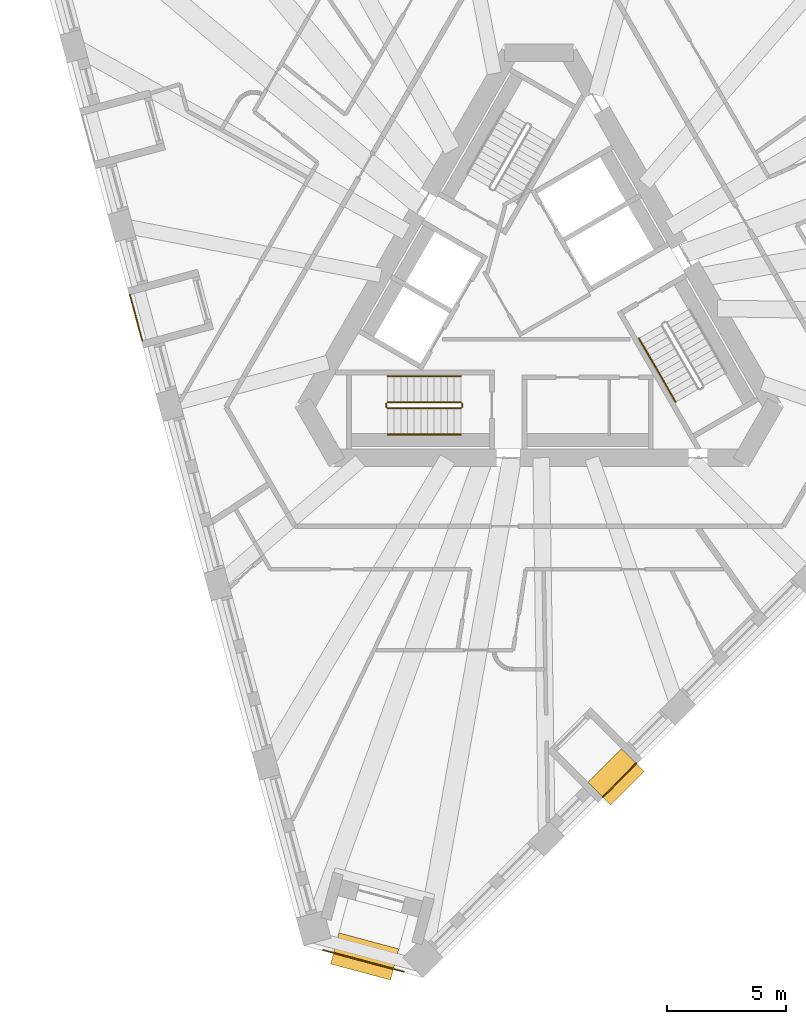
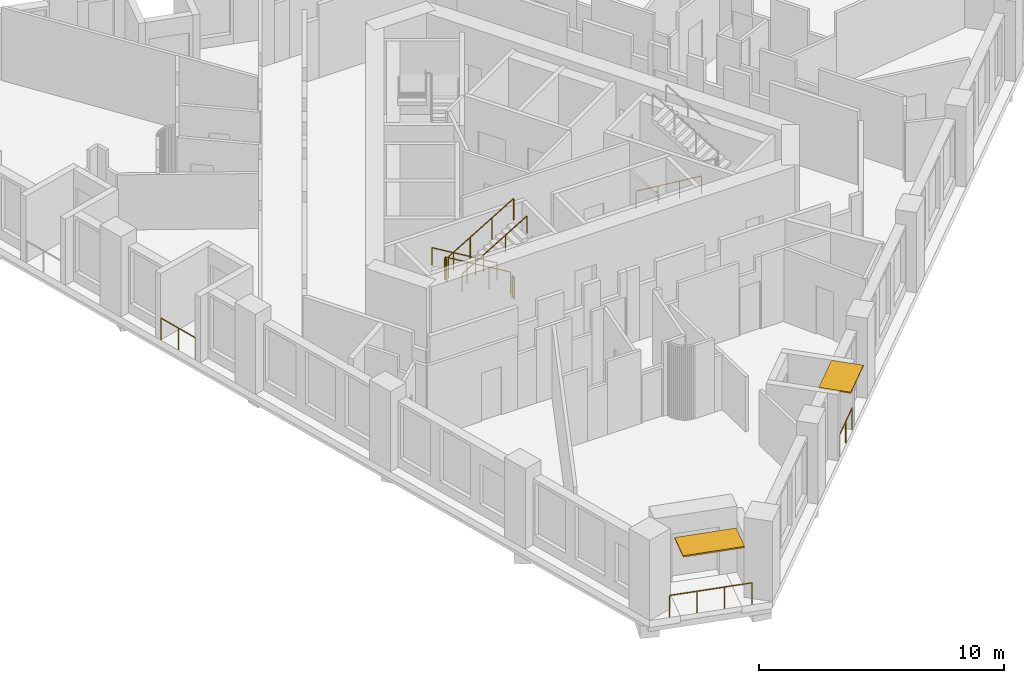
# One storey, part 10 of 13: 10 railings, 2 shading devices.
"""IFC4 building model written with IfcOpenShell, lengths in metres."""

from ifc_helpers import new_model, si_unit, direction, frame, origin, origin_2d, place, context, subcontext, project, spatial, rectangle, circle, extrude, material, layer, layer_set, type_object, element, save


model = new_model("IFC4")

# Units and contexts
model_context = context("Model", 3, precision=1e-05, world=origin(), true_north=direction((0.0, 1.0)))
body_context = subcontext(model_context, "Body", "Model", "MODEL_VIEW")
ifc_project = project(units=[si_unit("LENGTHUNIT", "METRE"), si_unit("AREAUNIT", "SQUARE_METRE"), si_unit("VOLUMEUNIT", "CUBIC_METRE"), si_unit("PLANEANGLEUNIT", "RADIAN"), si_unit("MASSUNIT", "GRAM", prefix="KILO")], contexts=[model_context])

# Site, building, storey
site_placement = place(None, origin())
site = spatial("IfcSite", under=ifc_project, at=site_placement, CompositionType="ELEMENT")
building_placement = place(site_placement, origin())
building = spatial("IfcBuilding", under=site, at=building_placement, Name="Tramontana Tower", CompositionType="ELEMENT")
storey_placement = place(building_placement, frame((0.0, 0.0, 216.0)))
storey = spatial("IfcBuildingStorey", under=building, at=storey_placement, Name="L50", CompositionType="ELEMENT", Elevation=216.0)

# Railings
ifc_material_1 = material(Name="Laminated glass balustrade", Category="glass")
railing_type_1 = type_object("IfcRailingType", Name="GD1 Loggia glass balustrade 1100", PredefinedType="BALUSTRADE", material=ifc_material_1)
railing_1_placement = place(storey_placement, frame((-17.176025390625, 0.466552734375, 0.0)))
element("IfcRailing", 1, at=railing_1_placement, inside=storey, type_object=railing_type_1, Name="Loggia balustrade L50 G5S0.7", PredefinedType="BALUSTRADE", context=body_context, shape_type="SweptSolid", body=[
    extrude(circle(Radius=0.02392578125, at=origin_2d()), frame((0.0, 0.0, 1.076171875), z_axis=(0.258803270362, -0.96593005298, 0.0), x_axis=(0.96593005298, 0.258803270362, 0.0)), (0.0, 0.0, 1.0), 1.998046875),
    extrude(circle(Radius=0.02099609375, at=origin_2d()), origin(), (0.0, 0.0, 1.0), 1.052001953125),
    extrude(circle(Radius=0.02099609375, at=origin_2d()), frame((0.258544921875, -0.96484375, 0.0)), (0.0, 0.0, 1.0), 1.052001953125),
    extrude(circle(Radius=0.02099609375, at=origin_2d()), frame((0.51708984375, -1.929931640625, 0.0)), (0.0, 0.0, 1.0), 1.052001953125),
])
railing_2_placement = place(storey_placement, frame((2.672607421875, -20.619384765625, 0.0)))
element("IfcRailing", 2, at=railing_2_placement, inside=storey, type_object=railing_type_1, Name="Loggia balustrade L50 G5S1.4", PredefinedType="BALUSTRADE", context=body_context, shape_type="SweptSolid", body=[
    extrude(circle(Radius=0.02392578125, at=origin_2d()), frame((0.0, 0.0, 1.076171875), z_axis=(0.707106781187, 0.707106781187, 0.0), x_axis=(-0.707106781187, 0.707106781187, 0.0)), (0.0, 0.0, 1.0), 1.998046875),
    extrude(circle(Radius=0.02099609375, at=origin_2d()), origin(), (0.0, 0.0, 1.0), 1.052001953125),
    extrude(circle(Radius=0.02099609375, at=origin_2d()), frame((0.70654296875, 0.70654296875, 0.0)), (0.0, 0.0, 1.0), 1.052001953125),
    extrude(circle(Radius=0.02099609375, at=origin_2d()), frame((1.412841796875, 1.412841796875, 0.0)), (0.0, 0.0, 1.0), 1.052001953125),
])
railing_3_placement = place(storey_placement, frame((-5.67822265625, -27.952880859375, 0.0)))
element("IfcRailing", 3, at=railing_3_placement, inside=storey, type_object=railing_type_1, Name="Corner loggia balustrade L50 K51", PredefinedType="BALUSTRADE", context=body_context, shape_type="SweptSolid", body=[
    extrude(circle(Radius=0.02392578125, at=origin_2d()), frame((0.0, 0.0, 1.076171875), z_axis=(-0.965913486506, 0.258865093408, 0.0), x_axis=(-0.258865093408, -0.965913486506, 0.0)), (0.0, 0.0, 1.0), 3.5),
    extrude(circle(Radius=0.02099609375, at=origin_2d()), origin(), (0.0, 0.0, 1.0), 1.052001953125),
    extrude(circle(Radius=0.02099609375, at=origin_2d()), frame((-1.126953125, 0.302001953125, 0.0)), (0.0, 0.0, 1.0), 1.052001953125),
    extrude(circle(Radius=0.02099609375, at=origin_2d()), frame((-2.253662109375, 0.60400390625, 0.0)), (0.0, 0.0, 1.0), 1.052001953125),
    extrude(circle(Radius=0.02099609375, at=origin_2d()), frame((-3.380615234375, 0.906005859375, 0.0)), (0.0, 0.0, 1.0), 1.052001953125),
])

# Shading devices
ifc_material_2 = material(Name="Precast concrete 60 MPa", Category="concrete")
ifc_layer_1 = layer(ifc_material_2, 0.06005859375)
ifc_layer_set_1 = layer_set([ifc_layer_1], Name="SS1 Stone sunshade blade 60")
shading_device_type_1 = type_object("IfcShadingDeviceType", Name="SS1 Stone sunshade blade 60", PredefinedType="USERDEFINED", material=ifc_layer_set_1)
shading_device_1_placement = place(storey_placement, frame((3.2412109375, -19.775146484375, 3.239990234375), z_axis=(0.0, 0.0, 1.0), x_axis=(0.707106781187, 0.707106781187, 0.0)))
element("IfcShadingDevice", 4, at=shading_device_1_placement, inside=storey, type_object=shading_device_type_1, Name="Sunshade L50 G5S1.4", ObjectType="SUNSHADE", PredefinedType="USERDEFINED", context=body_context, shape_type="SweptSolid", body=[
    extrude(rectangle(XDim=1.998046875, YDim=1.35009765625, at=origin_2d()), origin(), (0.0, 0.0, 1.0), 0.06005859375),
])
ifc_material_3 = material(Name="Precast concrete 60 MPa", Category="concrete")
ifc_layer_2 = layer(ifc_material_3, 0.070068359375)
ifc_layer_set_2 = layer_set([ifc_layer_2], Name="SS2 Stone sunshade blade 70")
shading_device_type_2 = type_object("IfcShadingDeviceType", Name="SS2 Stone sunshade blade 70", PredefinedType="USERDEFINED", material=ifc_layer_set_2)
shading_device_2_placement = place(storey_placement, frame((-7.318115234375, -27.3115234375, 3.22998046875), z_axis=(0.0, 0.0, 1.0), x_axis=(-0.965925826289, 0.258819045103, 0.0)))
element("IfcShadingDevice", 5, at=shading_device_2_placement, inside=storey, type_object=shading_device_type_2, Name="Corner sunshade L50 K51", ObjectType="SUNSHADE", PredefinedType="USERDEFINED", context=body_context, shape_type="SweptSolid", body=[
    extrude(rectangle(XDim=2.60009765625, YDim=1.35009765625, at=origin_2d()), origin(), (0.0, 0.0, 1.0), 0.070068359375),
])

# Railings
ifc_material_4 = material(Name="Painted steel", Category="steel")
railing_type_2 = type_object("IfcRailingType", Name="STAIR GUARD 1100", PredefinedType="GUARDRAIL", material=ifc_material_4)
railing_4_placement = place(storey_placement, frame((-3.280029296875, -4.050048828125, 0.166748046875)))
element("IfcRailing", 6, at=railing_4_placement, inside=storey, type_object=railing_type_2, Name="L50 ST2 stair guard 1", PredefinedType="GUARDRAIL", context=body_context, shape_type="SweptSolid", body=[
    extrude(circle(Radius=0.02392578125, at=origin_2d()), frame((0.0, 0.0, 1.076171875), z_axis=(-0.859308565015, 0.0, 0.511457515432), x_axis=(0.0, -1.0, 0.0)), (0.0, 0.0, 1.0), 3.58447265625),
    extrude(circle(Radius=0.02099609375, at=origin_2d()), origin(), (0.0, 0.0, 1.0), 1.052001953125),
    extrude(circle(Radius=0.02099609375, at=origin_2d()), frame((-1.026611328125, 0.0, 0.611083984375)), (0.0, 0.0, 1.0), 1.052001953125),
    extrude(circle(Radius=0.02099609375, at=origin_2d()), frame((-2.053466796875, 0.0, 1.22216796875)), (0.0, 0.0, 1.0), 1.052001953125),
    extrude(circle(Radius=0.02099609375, at=origin_2d()), frame((-3.080078125, 0.0, 1.833251953125)), (0.0, 0.0, 1.0), 1.052001953125),
])
railing_5_placement = place(storey_placement, frame((-6.360107421875, -4.300048828125, 2.166748046875)))
element("IfcRailing", 7, at=railing_5_placement, inside=storey, type_object=railing_type_2, Name="L50 ST2 stair guard 2", PredefinedType="GUARDRAIL", context=body_context, shape_type="SweptSolid", body=[
    extrude(circle(Radius=0.02392578125, at=origin_2d()), frame((0.0, 0.0, 1.076171875), z_axis=(0.859308565015, 0.0, 0.511457515432), x_axis=(0.0, 1.0, 0.0)), (0.0, 0.0, 1.0), 3.58447265625),
    extrude(circle(Radius=0.02099609375, at=origin_2d()), origin(), (0.0, 0.0, 1.0), 1.052001953125),
    extrude(circle(Radius=0.02099609375, at=origin_2d()), frame((1.026611328125, 0.0, 0.611083984375)), (0.0, 0.0, 1.0), 1.052001953125),
    extrude(circle(Radius=0.02099609375, at=origin_2d()), frame((2.053466796875, 0.0, 1.22216796875)), (0.0, 0.0, 1.0), 1.052001953125),
    extrude(circle(Radius=0.02099609375, at=origin_2d()), frame((3.080078125, 0.0, 1.833251953125)), (0.0, 0.0, 1.0), 1.052001953125),
])
for number, where, name in (
    (8, (-6.409912109375, -4.10009765625, 2.0), "L50 ST2 stair guard 3"),
    (9, (-3.22998046875, -4.10009765625, 0.0), "L50 ST2 stair guard 4"),
):
    element("IfcRailing", number, at=place(storey_placement, frame(where)), inside=storey, type_object=railing_type_2, Name=name, PredefinedType="GUARDRAIL", context=body_context, shape_type="SweptSolid", body=[
        extrude(circle(Radius=0.02392578125, at=origin_2d()), frame((0.0, 0.0, 1.076171875), z_axis=(0.0, -1.0, 0.0), x_axis=(1.0, 0.0, 0.0)), (0.0, 0.0, 1.0), 0.14990234375),
        extrude(circle(Radius=0.02099609375, at=origin_2d()), origin(), (0.0, 0.0, 1.0), 1.052001953125),
        extrude(circle(Radius=0.02099609375, at=origin_2d()), frame((0.0, -0.14990234375, 0.0)), (0.0, 0.0, 1.0), 1.052001953125),
    ])
ifc_material_5 = material(Name="Painted steel", Category="steel")
railing_type_3 = type_object("IfcRailingType", Name="STAIR HANDRAIL 900", PredefinedType="HANDRAIL", material=ifc_material_5)
railing_6_placement = place(storey_placement, frame((-3.280029296875, -2.949951171875, 0.166748046875)))
element("IfcRailing", 10, at=railing_6_placement, inside=storey, type_object=railing_type_3, Name="L50 ST2 stair handrail 1", PredefinedType="HANDRAIL", context=body_context, shape_type="SweptSolid", body=[
    extrude(circle(Radius=0.02392578125, at=origin_2d()), frame((0.0, 0.0, 0.8759765625), z_axis=(-0.859308565015, 0.0, 0.511457515432), x_axis=(0.0, -1.0, 0.0)), (0.0, 0.0, 1.0), 3.58447265625),
    extrude(circle(Radius=0.02099609375, at=origin_2d()), origin(), (0.0, 0.0, 1.0), 0.851806640625),
    extrude(circle(Radius=0.02099609375, at=origin_2d()), frame((-1.026611328125, 0.0, 0.611083984375)), (0.0, 0.0, 1.0), 0.851806640625),
    extrude(circle(Radius=0.02099609375, at=origin_2d()), frame((-2.053466796875, 0.0, 1.22216796875)), (0.0, 0.0, 1.0), 0.851806640625),
    extrude(circle(Radius=0.02099609375, at=origin_2d()), frame((-3.080078125, 0.0, 1.833251953125)), (0.0, 0.0, 1.0), 0.851806640625),
])
railing_7_placement = place(storey_placement, frame((-6.360107421875, -5.39990234375, 2.166748046875)))
element("IfcRailing", 11, at=railing_7_placement, inside=storey, type_object=railing_type_3, Name="L50 ST2 stair handrail 2", PredefinedType="HANDRAIL", context=body_context, shape_type="SweptSolid", body=[
    extrude(circle(Radius=0.02392578125, at=origin_2d()), frame((0.0, 0.0, 0.8759765625), z_axis=(0.859308565015, 0.0, 0.511457515432), x_axis=(0.0, 1.0, 0.0)), (0.0, 0.0, 1.0), 3.58447265625),
    extrude(circle(Radius=0.02099609375, at=origin_2d()), origin(), (0.0, 0.0, 1.0), 0.851806640625),
    extrude(circle(Radius=0.02099609375, at=origin_2d()), frame((1.026611328125, 0.0, 0.611083984375)), (0.0, 0.0, 1.0), 0.851806640625),
    extrude(circle(Radius=0.02099609375, at=origin_2d()), frame((2.053466796875, 0.0, 1.22216796875)), (0.0, 0.0, 1.0), 0.851806640625),
    extrude(circle(Radius=0.02099609375, at=origin_2d()), frame((3.080078125, 0.0, 1.833251953125)), (0.0, 0.0, 1.0), 0.851806640625),
])
railing_8_placement = place(storey_placement, frame((4.19482421875, -1.365478515625, 0.166748046875)))
element("IfcRailing", 12, at=railing_8_placement, inside=storey, type_object=railing_type_3, Name="L50 ST3 stair handrail 1", PredefinedType="HANDRAIL", context=body_context, shape_type="SweptSolid", body=[
    extrude(circle(Radius=0.02392578125, at=origin_2d()), frame((0.0, 0.0, 0.8759765625), z_axis=(0.429649414936, -0.744189839504, 0.511451721109), x_axis=(0.866029832698, 0.499992328818, 0.0)), (0.0, 0.0, 1.0), 3.58447265625),
    extrude(circle(Radius=0.02099609375, at=origin_2d()), origin(), (0.0, 0.0, 1.0), 0.851806640625),
    extrude(circle(Radius=0.02099609375, at=origin_2d()), frame((0.513427734375, -0.88916015625, 0.611083984375)), (0.0, 0.0, 1.0), 0.851806640625),
    extrude(circle(Radius=0.02099609375, at=origin_2d()), frame((1.026611328125, -1.7783203125, 1.22216796875)), (0.0, 0.0, 1.0), 0.851806640625),
    extrude(circle(Radius=0.02099609375, at=origin_2d()), frame((1.5400390625, -2.66748046875, 1.833251953125)), (0.0, 0.0, 1.0), 0.851806640625),
])

save(model, "model.ifc")
